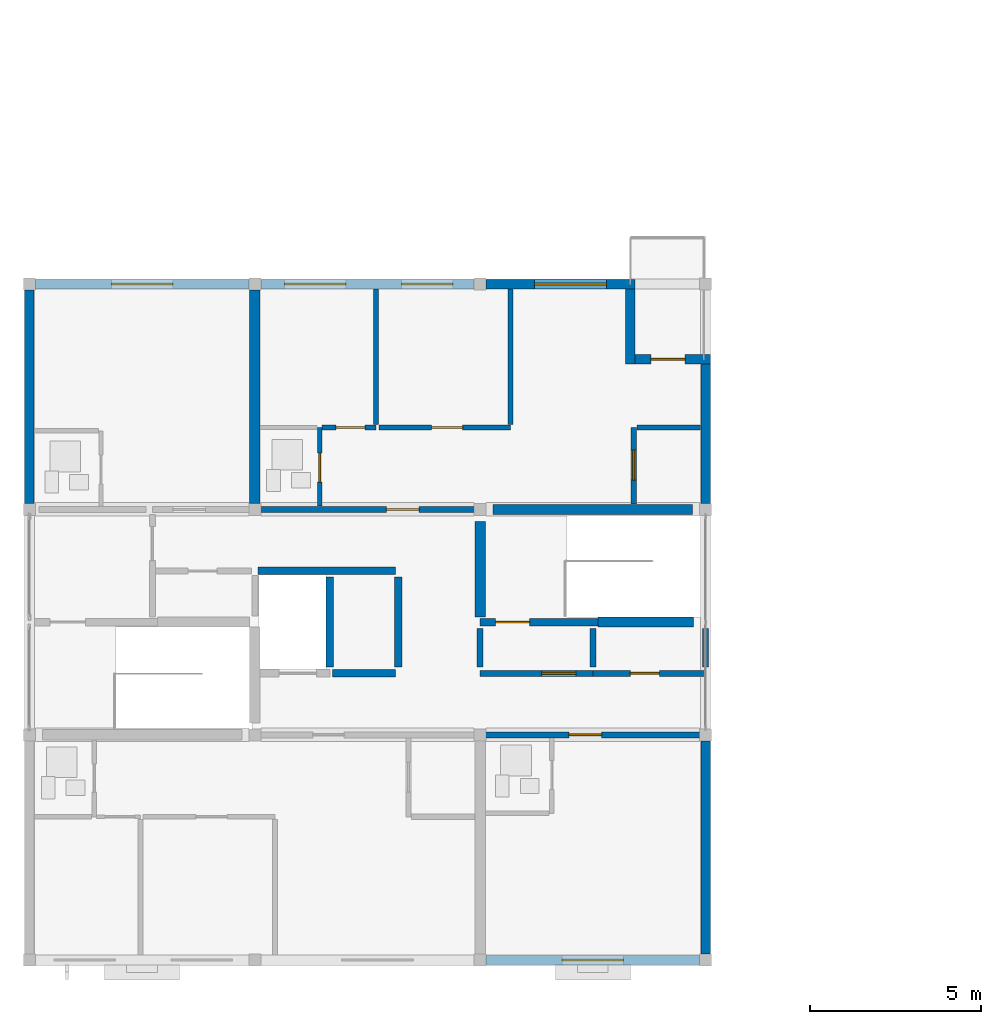
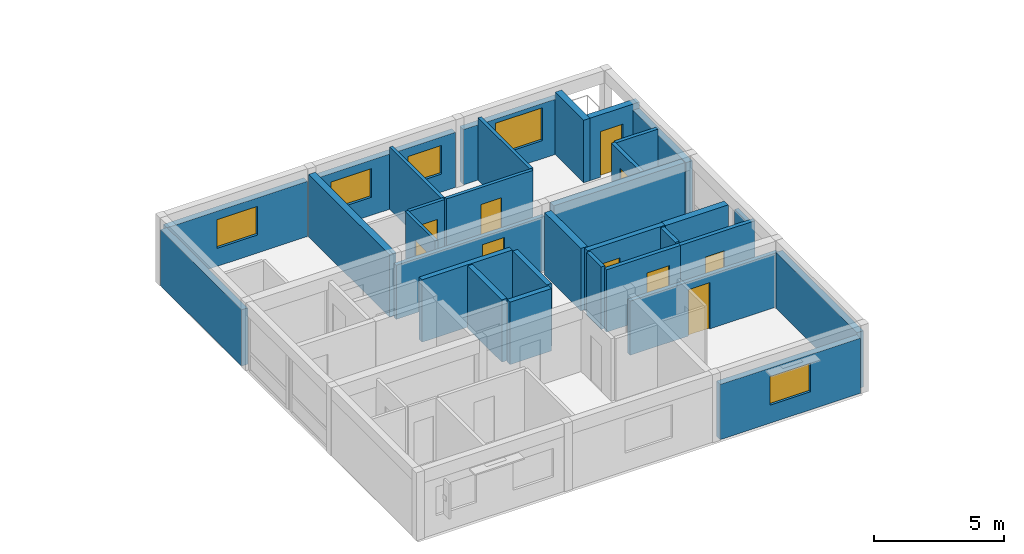
# One storey, part 26 of 49: 32 walls, 10 doors, 5 windows, 15 openings.
"""IFC4 building model written with IfcOpenShell, lengths in metres."""

from ifc_helpers import new_model, si_unit, direction, frame, frame_2d, origin, place, context, subcontext, project, spatial, rectangle, extrude, material, layer, layer_set, type_object, element, fill, save


model = new_model("IFC4")

# Units and contexts
model_context = context("Model", 3, precision=1e-05, world=origin(), true_north=direction((0.0, 1.0)))
body_context = subcontext(model_context, "Body", "Model", "MODEL_VIEW")
ifc_project = project(units=[si_unit("LENGTHUNIT", "METRE"), si_unit("AREAUNIT", "SQUARE_METRE"), si_unit("VOLUMEUNIT", "CUBIC_METRE"), si_unit("PLANEANGLEUNIT", "RADIAN"), si_unit("MASSUNIT", "GRAM", prefix="KILO")], contexts=[model_context])

# Site, building, storey
site_placement = place(None, origin())
site = spatial("IfcSite", under=ifc_project, at=site_placement, CompositionType="ELEMENT")
building_placement = place(site_placement, origin())
building = spatial("IfcBuilding", under=site, at=building_placement, Name="Kernevlak Ridge Housing Community", CompositionType="ELEMENT")
storey_placement = place(building_placement, frame((0.0, 0.0, 30.800048828125)))
storey = spatial("IfcBuildingStorey", under=building, at=storey_placement, Name="L09", CompositionType="ELEMENT", Elevation=30.800048828125)

# Wall, opening, window
ifc_material_1 = material(Name="Concrete block masonry M10", Category="masonry")
ifc_layer_1 = layer(ifc_material_1, 0.280029296875, Name="Concrete block masonry M10")
ifc_layer_set_1 = layer_set([ifc_layer_1], Name="Concrete block masonry M10")
wall_type_1 = type_object("IfcWallType", Name="EW-03", PredefinedType="STANDARD", material=ifc_layer_set_1)
wall_1_placement = place(storey_placement, frame((28.97509765625, 15.60009765625, 0.0), z_axis=(0.0, 0.0, 1.0), x_axis=(1.0, 0.0, 0.0)))
wall_1 = element("IfcWall", 1, at=wall_1_placement, inside=storey, type_object=wall_type_1, Name="Exterior wall EW-03 L09 838", PredefinedType="STANDARD", context=body_context, shape_type="SweptSolid", body=[
    extrude(rectangle(XDim=6.25, YDim=0.280029296875, at=frame_2d((3.125, 0.0))), origin(), (0.0, 0.0, 1.0), 2.599853515625),
])
opening_1_placement = place(wall_1_placement, frame((2.22509765625, 0.0, 0.85009765625)))
opening_1 = element("IfcOpeningElement", 2, at=opening_1_placement, cuts=wall_1, Name="Opening WT-03", PredefinedType="OPENING", context=body_context, shape_type="SweptSolid", body=[
    extrude(rectangle(XDim=1.800048828125, YDim=1.35009765625, at=frame_2d((0.89990234375, 0.675048828125))), frame((0.0, 0.14990234375, 0.0), z_axis=(0.0, -1.0, 0.0), x_axis=(1.0, 0.0, 0.0)), (0.0, 0.0, 1.0), 0.300048828125),
])
ifc_material_2 = material(Name="Aluminium EN AW-6060 anodised and laminated glass", Category="aluminium")
window_type_1 = type_object("IfcWindowType", Name="WT-03", PartitioningType="SINGLE_PANEL", PredefinedType="WINDOW", material=ifc_material_2)
window_1_placement = place(opening_1_placement, origin())
window_1 = element("IfcWindow", 3, at=window_1_placement, inside=storey, type_object=window_type_1, Name="Window WT-03 L09 694", OverallHeight=1.35009765625, OverallWidth=1.800048828125, PartitioningType="SINGLE_PANEL", PredefinedType="WINDOW", context=body_context, shape_type="SweptSolid", body=[
    extrude(rectangle(XDim=1.800048828125, YDim=1.35009765625, at=frame_2d((0.89990234375, 0.675048828125))), frame((0.0, 0.030029296875, 0.0), z_axis=(0.0, -1.0, 0.0), x_axis=(1.0, 0.0, 0.0)), (0.0, 0.0, 1.0), 0.06005859375),
])
fill(opening_1, window_1)

wall_2_placement = place(storey_placement, frame((15.77490234375, 35.39990234375, 0.0), z_axis=(0.0, 0.0, 1.0), x_axis=(1.0, 0.0, 0.0)))
wall_2 = element("IfcWall", 4, at=wall_2_placement, inside=storey, type_object=wall_type_1, Name="Exterior wall EW-03 L09 839", PredefinedType="STANDARD", context=body_context, shape_type="SweptSolid", body=[
    extrude(rectangle(XDim=6.25, YDim=0.280029296875, at=frame_2d((3.125, 0.0))), origin(), (0.0, 0.0, 1.0), 2.599853515625),
])
opening_2_placement = place(wall_2_placement, frame((2.22509765625, 0.0, 0.85009765625)))
opening_2 = element("IfcOpeningElement", 5, at=opening_2_placement, cuts=wall_2, Name="Opening WT-03", PredefinedType="OPENING", context=body_context, shape_type="SweptSolid", body=[
    extrude(rectangle(XDim=1.800048828125, YDim=1.35009765625, at=frame_2d((0.89990234375, 0.675048828125))), frame((0.0, 0.14990234375, 0.0), z_axis=(0.0, -1.0, 0.0), x_axis=(1.0, 0.0, 0.0)), (0.0, 0.0, 1.0), 0.300048828125),
])
window_2_placement = place(opening_2_placement, origin())
window_2 = element("IfcWindow", 6, at=window_2_placement, inside=storey, type_object=window_type_1, Name="Window WT-03 L09 695", OverallHeight=1.35009765625, OverallWidth=1.800048828125, PartitioningType="SINGLE_PANEL", PredefinedType="WINDOW", context=body_context, shape_type="SweptSolid", body=[
    extrude(rectangle(XDim=1.800048828125, YDim=1.35009765625, at=frame_2d((0.89990234375, 0.675048828125))), frame((0.0, 0.030029296875, 0.0), z_axis=(0.0, -1.0, 0.0), x_axis=(1.0, 0.0, 0.0)), (0.0, 0.0, 1.0), 0.06005859375),
])
fill(opening_2, window_2)

# Wall, openings, windows
wall_3_placement = place(storey_placement, frame((22.375, 35.39990234375, 0.0), z_axis=(0.0, 0.0, 1.0), x_axis=(1.0, 0.0, 0.0)))
wall_3 = element("IfcWall", 7, at=wall_3_placement, inside=storey, type_object=wall_type_1, Name="Exterior wall EW-03 L09 840", PredefinedType="STANDARD", context=body_context, shape_type="SweptSolid", body=[
    extrude(rectangle(XDim=6.25, YDim=0.280029296875, at=frame_2d((3.125, 0.0))), origin(), (0.0, 0.0, 1.0), 2.599853515625),
])
opening_3_placement = place(wall_3_placement, frame((0.699951171875, 0.0, 0.85009765625)))
opening_3 = element("IfcOpeningElement", 8, at=opening_3_placement, cuts=wall_3, Name="Opening WT-03", PredefinedType="OPENING", context=body_context, shape_type="SweptSolid", body=[
    extrude(rectangle(XDim=1.800048828125, YDim=1.35009765625, at=frame_2d((0.89990234375, 0.675048828125))), frame((0.0, 0.14990234375, 0.0), z_axis=(0.0, -1.0, 0.0), x_axis=(1.0, 0.0, 0.0)), (0.0, 0.0, 1.0), 0.300048828125),
])
opening_4_placement = place(wall_3_placement, frame((4.125, 0.0, 0.85009765625)))
opening_4 = element("IfcOpeningElement", 9, at=opening_4_placement, cuts=wall_3, Name="Opening WT-02", PredefinedType="OPENING", context=body_context, shape_type="SweptSolid", body=[
    extrude(rectangle(XDim=1.5, YDim=1.35009765625, at=frame_2d((0.75, 0.675048828125))), frame((0.0, 0.14990234375, 0.0), z_axis=(0.0, -1.0, 0.0), x_axis=(1.0, 0.0, 0.0)), (0.0, 0.0, 1.0), 0.300048828125),
])
window_type_2 = type_object("IfcWindowType", Name="WT-02", PartitioningType="SINGLE_PANEL", PredefinedType="WINDOW", material=ifc_material_2)
window_3_placement = place(opening_4_placement, origin())
window_3 = element("IfcWindow", 10, at=window_3_placement, inside=storey, type_object=window_type_2, Name="Window WT-02 L09 697", OverallHeight=1.35009765625, OverallWidth=1.5, PartitioningType="SINGLE_PANEL", PredefinedType="WINDOW", context=body_context, shape_type="SweptSolid", body=[
    extrude(rectangle(XDim=1.5, YDim=1.35009765625, at=frame_2d((0.75, 0.675048828125))), frame((0.0, 0.030029296875, 0.0), z_axis=(0.0, -1.0, 0.0), x_axis=(1.0, 0.0, 0.0)), (0.0, 0.0, 1.0), 0.06005859375),
])
fill(opening_4, window_3)
window_4_placement = place(opening_3_placement, origin())
window_4 = element("IfcWindow", 11, at=window_4_placement, inside=storey, type_object=window_type_1, Name="Window WT-03 L09 696", OverallHeight=1.35009765625, OverallWidth=1.800048828125, PartitioningType="SINGLE_PANEL", PredefinedType="WINDOW", context=body_context, shape_type="SweptSolid", body=[
    extrude(rectangle(XDim=1.800048828125, YDim=1.35009765625, at=frame_2d((0.89990234375, 0.675048828125))), frame((0.0, 0.030029296875, 0.0), z_axis=(0.0, -1.0, 0.0), x_axis=(1.0, 0.0, 0.0)), (0.0, 0.0, 1.0), 0.06005859375),
])
fill(opening_3, window_4)

# Wall, opening, window
wall_4_placement = place(storey_placement, frame((28.97509765625, 35.39990234375, 0.0), z_axis=(0.0, 0.0, 1.0), x_axis=(1.0, 0.0, 0.0)))
wall_4 = element("IfcWall", 12, at=wall_4_placement, inside=storey, type_object=wall_type_1, Name="Exterior wall EW-03 L09 841", PredefinedType="STANDARD", context=body_context, shape_type="SweptSolid", body=[
    extrude(rectangle(XDim=4.364990234375, YDim=0.280029296875, at=frame_2d((2.1826171875, 0.0))), origin(), (0.0, 0.0, 1.0), 2.599853515625),
])
opening_5_placement = place(wall_4_placement, frame((1.4208984375, 0.0, 0.85009765625)))
opening_5 = element("IfcOpeningElement", 13, at=opening_5_placement, cuts=wall_4, Name="Opening WT-05", PredefinedType="OPENING", context=body_context, shape_type="SweptSolid", body=[
    extrude(rectangle(XDim=2.10009765625, YDim=1.550048828125, at=frame_2d((1.050048828125, 0.77490234375))), frame((0.0, 0.14990234375, 0.0), z_axis=(0.0, -1.0, 0.0), x_axis=(1.0, 0.0, 0.0)), (0.0, 0.0, 1.0), 0.300048828125),
])
window_type_3 = type_object("IfcWindowType", Name="WT-05", PartitioningType="SINGLE_PANEL", PredefinedType="WINDOW", material=ifc_material_2)
window_5_placement = place(opening_5_placement, origin())
window_5 = element("IfcWindow", 14, at=window_5_placement, inside=storey, type_object=window_type_3, Name="Window WT-05 L09 698", OverallHeight=1.550048828125, OverallWidth=2.10009765625, PartitioningType="SINGLE_PANEL", PredefinedType="WINDOW", context=body_context, shape_type="SweptSolid", body=[
    extrude(rectangle(XDim=2.10009765625, YDim=1.550048828125, at=frame_2d((1.050048828125, 0.77490234375))), frame((0.0, 0.030029296875, 0.0), z_axis=(0.0, -1.0, 0.0), x_axis=(1.0, 0.0, 0.0)), (0.0, 0.0, 1.0), 0.06005859375),
])
fill(opening_5, window_5)

# Wall
wall_5_placement = place(storey_placement, frame((33.199951171875, 35.260009765625, 0.0), z_axis=(0.0, 0.0, 1.0), x_axis=(0.0, -1.0, 0.0)))
element("IfcWall", 15, at=wall_5_placement, inside=storey, type_object=wall_type_1, Name="Exterior wall EW-03 L09 842", PredefinedType="STANDARD", context=body_context, shape_type="SweptSolid", body=[
    extrude(rectangle(XDim=2.199951171875, YDim=0.280029296875, at=frame_2d((1.10009765625, 0.0))), origin(), (0.0, 0.0, 1.0), 2.93994140625),
])

# Wall, opening, door
wall_6_placement = place(storey_placement, frame((33.340087890625, 33.199951171875, 0.0), z_axis=(0.0, 0.0, 1.0), x_axis=(1.0, 0.0, 0.0)))
wall_6 = element("IfcWall", 16, at=wall_6_placement, inside=storey, type_object=wall_type_1, Name="Exterior wall EW-03 L09 843", PredefinedType="STANDARD", context=body_context, shape_type="SweptSolid", body=[
    extrude(rectangle(XDim=2.199951171875, YDim=0.280029296875, at=frame_2d((1.10009765625, 0.0))), origin(), (0.0, 0.0, 1.0), 2.93994140625),
])
opening_6_placement = place(wall_6_placement, frame((0.4599609375, 0.0, 0.0)))
opening_6 = element("IfcOpeningElement", 17, at=opening_6_placement, cuts=wall_6, Name="Opening E777", PredefinedType="OPENING", context=body_context, shape_type="SweptSolid", body=[
    extrude(rectangle(XDim=1.0, YDim=2.14990234375, at=frame_2d((0.5, 1.074951171875))), frame((0.0, 0.14990234375, 0.0), z_axis=(0.0, -1.0, 0.0), x_axis=(1.0, 0.0, 0.0)), (0.0, 0.0, 1.0), 0.300048828125),
])
ifc_material_3 = material(Name="Aluminium EN AW-6060 and laminated safety glass", Category="aluminium")
door_type_1 = type_object("IfcDoorType", Name="DT-08", OperationType="NOTDEFINED", PredefinedType="DOOR", material=ifc_material_3)
door_1_placement = place(opening_6_placement, origin())
door_1 = element("IfcDoor", 18, at=door_1_placement, inside=storey, type_object=door_type_1, Name="Flat D0922 corner balcony glazed door E777", OperationType="SINGLE_SWING_RIGHT", OverallHeight=2.14990234375, OverallWidth=1.0, PredefinedType="DOOR", context=body_context, shape_type="SweptSolid", body=[
    extrude(rectangle(XDim=1.0, YDim=2.14990234375, at=frame_2d((0.5, 1.074951171875))), frame((0.0, 0.02490234375, 0.0), z_axis=(0.0, -1.0, 0.0), x_axis=(1.0, 0.0, 0.0)), (0.0, 0.0, 1.0), 0.050048828125),
])
fill(opening_6, door_1)

# Walls
for number, where, z_axis, x_axis, name in (
    (19, (15.60009765625, 28.97509765625, 0.0), (0.0, 0.0, 1.0), (0.0, 1.0, 0.0), "Exterior wall EW-03 L09 845"),
    (20, (35.39990234375, 15.77490234375, 0.0), (0.0, 0.0, 1.0), (0.0, 1.0, 0.0), "Exterior wall EW-03 L09 846"),
):
    element("IfcWall", number, at=place(storey_placement, frame(where, z_axis=z_axis, x_axis=x_axis)), inside=storey, type_object=wall_type_1, Name=name, PredefinedType="STANDARD", context=body_context, shape_type="SweptSolid", body=[
        extrude(rectangle(XDim=6.25, YDim=0.280029296875, at=frame_2d((3.125, 0.0))), origin(), (0.0, 0.0, 1.0), 2.64990234375),
    ])
wall_7_placement = place(storey_placement, frame((35.39990234375, 28.97509765625, 0.0), z_axis=(0.0, 0.0, 1.0), x_axis=(0.0, 1.0, 0.0)))
element("IfcWall", 21, at=wall_7_placement, inside=storey, type_object=wall_type_1, Name="Exterior wall EW-03 L09 847", PredefinedType="STANDARD", context=body_context, shape_type="SweptSolid", body=[
    extrude(rectangle(XDim=4.0849609375, YDim=0.280029296875, at=frame_2d((2.04248046875, 0.0))), origin(), (0.0, 0.0, 1.0), 2.64990234375),
])
ifc_material_4 = material(Name="Concrete C35/45", Category="concrete")
ifc_layer_2 = layer(ifc_material_4, 0.22509765625, Name="Concrete C35/45")
ifc_layer_set_2 = layer_set([ifc_layer_2], Name="Concrete C35/45")
wall_type_2 = type_object("IfcWallType", Name="PW-01", PredefinedType="STANDARD", material=ifc_layer_set_2)
wall_8_placement = place(storey_placement, frame((24.47998046875, 24.0, 0.0), z_axis=(0.0, 0.0, 1.0), x_axis=(1.0, 0.0, 0.0)))
element("IfcWall", 22, at=wall_8_placement, inside=storey, type_object=wall_type_2, Name="Interior wall PW-01 WAL-INT-L09-3465", PredefinedType="STANDARD", context=body_context, shape_type="SweptSolid", body=[
    extrude(rectangle(XDim=1.840087890625, YDim=0.22509765625, at=frame_2d((0.919921875, 0.0))), origin(), (0.0, 0.0, 1.0), 2.93994140625),
])
wall_9_placement = place(storey_placement, frame((22.297607421875, 27.0, 0.0), z_axis=(0.0, 0.0, 1.0), x_axis=(1.0, 0.0, 0.0)))
element("IfcWall", 23, at=wall_9_placement, inside=storey, type_object=wall_type_2, Name="Interior wall PW-01 WAL-INT-L09-3466", PredefinedType="STANDARD", context=body_context, shape_type="SweptSolid", body=[
    extrude(rectangle(XDim=4.0224609375, YDim=0.22509765625, at=frame_2d((2.01123046875, 0.0))), origin(), (0.0, 0.0, 1.0), 2.93994140625),
])
for number, where, z_axis, x_axis, name in (
    (24, (24.39990234375, 24.179931640625, 0.0), (0.0, 0.0, 1.0), (0.0, 1.0, 0.0), "Interior wall PW-01 WAL-INT-L09-3468"),
    (25, (26.39990234375, 24.179931640625, 0.0), (0.0, 0.0, 1.0), (0.0, 1.0, 0.0), "Interior wall PW-01 WAL-INT-L09-3469"),
):
    element("IfcWall", number, at=place(storey_placement, frame(where, z_axis=z_axis, x_axis=x_axis)), inside=storey, type_object=wall_type_2, Name=name, PredefinedType="STANDARD", context=body_context, shape_type="SweptSolid", body=[
        extrude(rectangle(XDim=2.64013671875, YDim=0.22509765625, at=frame_2d((1.320068359375, 0.0))), origin(), (0.0, 0.0, 1.0), 2.93994140625),
    ])

# Wall, opening, door
wall_10_placement = place(storey_placement, frame((28.800048828125, 25.5, 0.0), z_axis=(0.0, 0.0, 1.0), x_axis=(1.0, 0.0, 0.0)))
wall_10 = element("IfcWall", 26, at=wall_10_placement, inside=storey, type_object=wall_type_2, Name="Interior wall PW-01 WAL-INT-L09-3470", PredefinedType="STANDARD", context=body_context, shape_type="SweptSolid", body=[
    extrude(rectangle(XDim=3.449951171875, YDim=0.22509765625, at=frame_2d((1.72509765625, 0.0))), origin(), (0.0, 0.0, 1.0), 2.93994140625),
])
opening_7_placement = place(wall_10_placement, frame((0.449951171875, 0.0, 0.0)))
opening_7 = element("IfcOpeningElement", 27, at=opening_7_placement, cuts=wall_10, Name="Opening E760", PredefinedType="OPENING", context=body_context, shape_type="SweptSolid", body=[
    extrude(rectangle(XDim=1.0, YDim=2.10009765625, at=frame_2d((0.5, 1.050048828125))), frame((0.0, 0.12255859375, 0.0), z_axis=(0.0, -1.0, 0.0), x_axis=(1.0, 0.0, 0.0)), (0.0, 0.0, 1.0), 0.2451171875),
])
ifc_material_5 = material(Name="Fire-rated sheet steel leaf", Category="steel")
door_type_2 = type_object("IfcDoorType", Name="DT-05", OperationType="NOTDEFINED", PredefinedType="DOOR", material=ifc_material_5)
door_2_placement = place(opening_7_placement, origin())
door_2 = element("IfcDoor", 28, at=door_2_placement, inside=storey, type_object=door_type_2, Name="Block D Stair 2 fire door E760", OperationType="SINGLE_SWING_LEFT", OverallHeight=2.10009765625, OverallWidth=1.0, PredefinedType="DOOR", context=body_context, shape_type="SweptSolid", body=[
    extrude(rectangle(XDim=1.0, YDim=2.10009765625, at=frame_2d((0.5, 1.050048828125))), frame((0.0, 0.02490234375, 0.0), z_axis=(0.0, -1.0, 0.0), x_axis=(1.0, 0.0, 0.0)), (0.0, 0.0, 1.0), 0.050048828125),
])
fill(opening_7, door_2)

ifc_layer_3 = layer(ifc_material_1, 0.175048828125, Name="Concrete block masonry M10")
ifc_layer_set_3 = layer_set([ifc_layer_3], Name="Concrete block masonry M10")
wall_type_3 = type_object("IfcWallType", Name="PW-02", PredefinedType="PARTITIONING", material=ifc_layer_set_3)
wall_11_placement = place(storey_placement, frame((28.800048828125, 24.0, 0.0), z_axis=(0.0, 0.0, 1.0), x_axis=(1.0, 0.0, 0.0)))
wall_11 = element("IfcWall", 29, at=wall_11_placement, inside=storey, type_object=wall_type_3, Name="Interior wall PW-02 WAL-INT-L09-3471", PredefinedType="PARTITIONING", context=body_context, shape_type="SweptSolid", body=[
    extrude(rectangle(XDim=3.300048828125, YDim=0.175048828125, at=frame_2d((1.64990234375, 0.0))), origin(), (0.0, 0.0, 1.0), 2.93994140625),
])
opening_8_placement = place(wall_11_placement, frame((1.800048828125, 0.0, 0.0)))
opening_8 = element("IfcOpeningElement", 30, at=opening_8_placement, cuts=wall_11, Name="Opening E761", PredefinedType="OPENING", context=body_context, shape_type="SweptSolid", body=[
    extrude(rectangle(XDim=1.0, YDim=2.159912109375, at=frame_2d((0.5, 1.080078125))), frame((0.0, 0.097412109375, 0.0), z_axis=(0.0, -1.0, 0.0), x_axis=(1.0, 0.0, 0.0)), (0.0, 0.0, 1.0), 0.195068359375),
])
door_type_3 = type_object("IfcDoorType", Name="DT-15", OperationType="NOTDEFINED", PredefinedType="DOOR", material=ifc_material_5)
door_3_placement = place(opening_8_placement, origin())
door_3 = element("IfcDoor", 31, at=door_3_placement, inside=storey, type_object=door_type_3, Name="Block D Firefighting lobby 2 door E761", OperationType="SINGLE_SWING_RIGHT", OverallHeight=2.159912109375, OverallWidth=1.0, PredefinedType="DOOR", context=body_context, shape_type="SweptSolid", body=[
    extrude(rectangle(XDim=1.0, YDim=2.159912109375, at=frame_2d((0.5, 1.080078125))), frame((0.0, 0.02490234375, 0.0), z_axis=(0.0, -1.0, 0.0), x_axis=(1.0, 0.0, 0.0)), (0.0, 0.0, 1.0), 0.050048828125),
])
fill(opening_8, door_3)

wall_12_placement = place(storey_placement, frame((32.10009765625, 24.0, 0.0), z_axis=(0.0, 0.0, 1.0), x_axis=(1.0, 0.0, 0.0)))
wall_12 = element("IfcWall", 32, at=wall_12_placement, inside=storey, type_object=wall_type_3, Name="Interior wall PW-02 WAL-INT-L09-3472", PredefinedType="PARTITIONING", context=body_context, shape_type="SweptSolid", body=[
    extrude(rectangle(XDim=3.2998046875, YDim=0.175048828125, at=frame_2d((1.64990234375, 0.0))), origin(), (0.0, 0.0, 1.0), 2.93994140625),
])
opening_9_placement = place(wall_12_placement, frame((1.10009765625, 0.0, 0.0)))
opening_9 = element("IfcOpeningElement", 33, at=opening_9_placement, cuts=wall_12, Name="Opening E762", PredefinedType="OPENING", context=body_context, shape_type="SweptSolid", body=[
    extrude(rectangle(XDim=0.85009765625, YDim=2.0, at=frame_2d((0.425048828125, 1.0))), frame((0.0, 0.097412109375, 0.0), z_axis=(0.0, -1.0, 0.0), x_axis=(1.0, 0.0, 0.0)), (0.0, 0.0, 1.0), 0.195068359375),
])
door_type_4 = type_object("IfcDoorType", Name="DT-07", OperationType="NOTDEFINED", PredefinedType="DOOR", material=ifc_material_5)
door_4_placement = place(opening_9_placement, origin())
door_4 = element("IfcDoor", 34, at=door_4_placement, inside=storey, type_object=door_type_4, Name="Block D Cleaner store door E762", OperationType="SINGLE_SWING_LEFT", OverallHeight=2.0, OverallWidth=0.85009765625, PredefinedType="DOOR", context=body_context, shape_type="SweptSolid", body=[
    extrude(rectangle(XDim=0.85009765625, YDim=2.0, at=frame_2d((0.425048828125, 1.0))), frame((0.0, 0.02490234375, 0.0), z_axis=(0.0, -1.0, 0.0), x_axis=(1.0, 0.0, 0.0)), (0.0, 0.0, 1.0), 0.050048828125),
])
fill(opening_9, door_4)

# Walls
for number, where, z_axis, x_axis, name in (
    (35, (28.800048828125, 24.179931640625, 0.0), (0.0, 0.0, 1.0), (0.0, 1.0, 0.0), "Interior wall PW-02 WAL-INT-L09-3473"),
    (36, (32.10009765625, 24.179931640625, 0.0), (0.0, 0.0, 1.0), (0.0, 1.0, 0.0), "Interior wall PW-02 WAL-INT-L09-3474"),
):
    element("IfcWall", number, at=place(storey_placement, frame(where, z_axis=z_axis, x_axis=x_axis)), inside=storey, type_object=wall_type_3, Name=name, PredefinedType="PARTITIONING", context=body_context, shape_type="SweptSolid", body=[
        extrude(rectangle(XDim=1.14013671875, YDim=0.175048828125, at=frame_2d((0.570068359375, 0.0))), origin(), (0.0, 0.0, 1.0), 2.93994140625),
    ])
wall_13_placement = place(storey_placement, frame((35.39990234375, 24.179931640625, 0.0), z_axis=(0.0, 0.0, 1.0), x_axis=(0.0, 1.0, 0.0)))
element("IfcWall", 37, at=wall_13_placement, inside=storey, type_object=wall_type_3, Name="Interior wall PW-02 WAL-INT-L09-3475", PredefinedType="PARTITIONING", context=body_context, shape_type="SweptSolid", body=[
    extrude(rectangle(XDim=1.14013671875, YDim=0.175048828125, at=frame_2d((0.570068359375, 0.0))), origin(), (0.0, 0.0, 1.0), 2.64990234375),
])

# Wall, opening, door
wall_14_placement = place(storey_placement, frame((28.800048828125, 22.199951171875, 0.0), z_axis=(0.0, 0.0, 1.0), x_axis=(1.0, 0.0, 0.0)))
wall_14 = element("IfcWall", 38, at=wall_14_placement, inside=storey, type_object=wall_type_3, Name="Interior wall PW-02 WAL-INT-L09-3485", PredefinedType="PARTITIONING", context=body_context, shape_type="SweptSolid", body=[
    extrude(rectangle(XDim=6.599853515625, YDim=0.175048828125, at=frame_2d((3.2998046875, 0.0))), origin(), (0.0, 0.0, 1.0), 2.550048828125),
])
opening_10_placement = place(wall_14_placement, frame((2.60009765625, 0.0, 0.0)))
opening_10 = element("IfcOpeningElement", 39, at=opening_10_placement, cuts=wall_14, Name="Opening E768", PredefinedType="OPENING", context=body_context, shape_type="SweptSolid", body=[
    extrude(rectangle(XDim=0.9599609375, YDim=2.179931640625, at=frame_2d((0.47998046875, 1.08984375))), frame((0.0, 0.097412109375, 0.0), z_axis=(0.0, -1.0, 0.0), x_axis=(1.0, 0.0, 0.0)), (0.0, 0.0, 1.0), 0.195068359375),
])
ifc_material_6 = material(Name="Hardwood timber solid-core fire leaf", Category="wood")
door_type_5 = type_object("IfcDoorType", Name="DT-29", OperationType="NOTDEFINED", PredefinedType="DOOR", material=ifc_material_6)
door_5_placement = place(opening_10_placement, origin())
door_5 = element("IfcDoor", 40, at=door_5_placement, inside=storey, type_object=door_type_5, Name="Flat D0912 entrance fire door E768", OperationType="SINGLE_SWING_LEFT", OverallHeight=2.179931640625, OverallWidth=0.9599609375, PredefinedType="DOOR", context=body_context, shape_type="SweptSolid", body=[
    extrude(rectangle(XDim=0.9599609375, YDim=2.179931640625, at=frame_2d((0.47998046875, 1.08984375))), frame((0.0, 0.02490234375, 0.0), z_axis=(0.0, -1.0, 0.0), x_axis=(1.0, 0.0, 0.0)), (0.0, 0.0, 1.0), 0.050048828125),
])
fill(opening_10, door_5)

wall_15_placement = place(storey_placement, frame((22.199951171875, 28.800048828125, 0.0), z_axis=(0.0, 0.0, 1.0), x_axis=(1.0, 0.0, 0.0)))
wall_15 = element("IfcWall", 41, at=wall_15_placement, inside=storey, type_object=wall_type_3, Name="Interior wall PW-02 WAL-INT-L09-3492", PredefinedType="PARTITIONING", context=body_context, shape_type="SweptSolid", body=[
    extrude(rectangle(XDim=6.60009765625, YDim=0.175048828125, at=frame_2d((3.300048828125, 0.0))), origin(), (0.0, 0.0, 1.0), 2.550048828125),
])
opening_11_placement = place(wall_15_placement, frame((3.85009765625, 0.0, 0.0)))
opening_11 = element("IfcOpeningElement", 42, at=opening_11_placement, cuts=wall_15, Name="Opening E772", PredefinedType="OPENING", context=body_context, shape_type="SweptSolid", body=[
    extrude(rectangle(XDim=0.9599609375, YDim=2.179931640625, at=frame_2d((0.47998046875, 1.08984375))), frame((0.0, 0.097412109375, 0.0), z_axis=(0.0, -1.0, 0.0), x_axis=(1.0, 0.0, 0.0)), (0.0, 0.0, 1.0), 0.195068359375),
])
door_6_placement = place(opening_11_placement, origin())
door_6 = element("IfcDoor", 43, at=door_6_placement, inside=storey, type_object=door_type_5, Name="Flat D0922 entrance fire door E772", OperationType="SINGLE_SWING_LEFT", OverallHeight=2.179931640625, OverallWidth=0.9599609375, PredefinedType="DOOR", context=body_context, shape_type="SweptSolid", body=[
    extrude(rectangle(XDim=0.9599609375, YDim=2.179931640625, at=frame_2d((0.47998046875, 1.08984375))), frame((0.0, 0.02490234375, 0.0), z_axis=(0.0, -1.0, 0.0), x_axis=(1.0, 0.0, 0.0)), (0.0, 0.0, 1.0), 0.050048828125),
])
fill(opening_11, door_6)

ifc_layer_4 = layer(ifc_material_1, 0.14501953125, Name="Concrete block masonry M10")
ifc_layer_set_4 = layer_set([ifc_layer_4], Name="Concrete block masonry M10")
wall_type_4 = type_object("IfcWallType", Name="PW-03", PredefinedType="PARTITIONING", material=ifc_layer_set_4)
wall_16_placement = place(storey_placement, frame((24.172607421875, 31.199951171875, 0.0), z_axis=(0.0, 0.0, 1.0), x_axis=(1.0, 0.0, 0.0)))
wall_16 = element("IfcWall", 44, at=wall_16_placement, inside=storey, type_object=wall_type_4, Name="Interior wall PW-03 WAL-INT-L09-3497", PredefinedType="PARTITIONING", context=body_context, shape_type="SweptSolid", body=[
    extrude(rectangle(XDim=1.577392578125, YDim=0.14501953125, at=frame_2d((0.78857421875, 0.0))), origin(), (0.0, 0.0, 1.0), 2.93994140625),
])
opening_12_placement = place(wall_16_placement, frame((0.39990234375, 0.0, 0.0)))
opening_12 = element("IfcOpeningElement", 45, at=opening_12_placement, cuts=wall_16, Name="Opening E775", PredefinedType="OPENING", context=body_context, shape_type="SweptSolid", body=[
    extrude(rectangle(XDim=0.860107421875, YDim=2.1201171875, at=frame_2d((0.43017578125, 1.06005859375))), frame((0.0, 0.08251953125, 0.0), z_axis=(0.0, -1.0, 0.0), x_axis=(1.0, 0.0, 0.0)), (0.0, 0.0, 1.0), 0.1650390625),
])
ifc_material_7 = material(Name="Hardwood timber leaf", Category="wood")
door_type_6 = type_object("IfcDoorType", Name="DT-28", OperationType="NOTDEFINED", PredefinedType="DOOR", material=ifc_material_7)
door_7_placement = place(opening_12_placement, origin())
door_7 = element("IfcDoor", 46, at=door_7_placement, inside=storey, type_object=door_type_6, Name="Flat D0922 bedroom door E775", OperationType="SINGLE_SWING_RIGHT", OverallHeight=2.1201171875, OverallWidth=0.860107421875, PredefinedType="DOOR", context=body_context, shape_type="SweptSolid", body=[
    extrude(rectangle(XDim=0.860107421875, YDim=2.1201171875, at=frame_2d((0.43017578125, 1.06005859375))), frame((0.0, 0.02490234375, 0.0), z_axis=(0.0, -1.0, 0.0), x_axis=(1.0, 0.0, 0.0)), (0.0, 0.0, 1.0), 0.050048828125),
])
fill(opening_12, door_7)

# Wall
wall_17_placement = place(storey_placement, frame((25.75, 31.282470703125, 0.0), z_axis=(0.0, 0.0, 1.0), x_axis=(0.0, 1.0, 0.0)))
element("IfcWall", 47, at=wall_17_placement, inside=storey, type_object=wall_type_4, Name="Interior wall PW-03 WAL-INT-L09-3498", PredefinedType="PARTITIONING", context=body_context, shape_type="SweptSolid", body=[
    extrude(rectangle(XDim=3.967529296875, YDim=0.14501953125, at=frame_2d((1.98388671875, 0.0))), origin(), (0.0, 0.0, 1.0), 2.93994140625),
])

# Wall, opening, door
wall_18_placement = place(storey_placement, frame((25.83251953125, 31.199951171875, 0.0), z_axis=(0.0, 0.0, 1.0), x_axis=(1.0, 0.0, 0.0)))
wall_18 = element("IfcWall", 48, at=wall_18_placement, inside=storey, type_object=wall_type_4, Name="Interior wall PW-03 WAL-INT-L09-3499", PredefinedType="PARTITIONING", context=body_context, shape_type="SweptSolid", body=[
    extrude(rectangle(XDim=3.859375, YDim=0.14501953125, at=frame_2d((1.9296875, 0.0))), origin(), (0.0, 0.0, 1.0), 2.93994140625),
])
opening_13_placement = place(wall_18_placement, frame((1.5458984375, 0.0, 0.0)))
opening_13 = element("IfcOpeningElement", 49, at=opening_13_placement, cuts=wall_18, Name="Opening E776", PredefinedType="OPENING", context=body_context, shape_type="SweptSolid", body=[
    extrude(rectangle(XDim=0.909912109375, YDim=2.139892578125, at=frame_2d((0.455078125, 1.06982421875))), frame((0.0, 0.08251953125, 0.0), z_axis=(0.0, -1.0, 0.0), x_axis=(1.0, 0.0, 0.0)), (0.0, 0.0, 1.0), 0.1650390625),
])
door_type_7 = type_object("IfcDoorType", Name="DT-31", OperationType="NOTDEFINED", PredefinedType="DOOR", material=ifc_material_7)
door_8_placement = place(opening_13_placement, origin())
door_8 = element("IfcDoor", 50, at=door_8_placement, inside=storey, type_object=door_type_7, Name="Flat D0922 bedroom door E776", OperationType="SINGLE_SWING_LEFT", OverallHeight=2.139892578125, OverallWidth=0.909912109375, PredefinedType="DOOR", context=body_context, shape_type="SweptSolid", body=[
    extrude(rectangle(XDim=0.909912109375, YDim=2.139892578125, at=frame_2d((0.455078125, 1.06982421875))), frame((0.0, 0.02490234375, 0.0), z_axis=(0.0, -1.0, 0.0), x_axis=(1.0, 0.0, 0.0)), (0.0, 0.0, 1.0), 0.050048828125),
])
fill(opening_13, door_8)

# Wall
wall_19_placement = place(storey_placement, frame((29.69189453125, 31.282470703125, 0.0), z_axis=(0.0, 0.0, 1.0), x_axis=(0.0, 1.0, 0.0)))
element("IfcWall", 51, at=wall_19_placement, inside=storey, type_object=wall_type_4, Name="Interior wall PW-03 WAL-INT-L09-3500", PredefinedType="PARTITIONING", context=body_context, shape_type="SweptSolid", body=[
    extrude(rectangle(XDim=3.967529296875, YDim=0.14501953125, at=frame_2d((1.98388671875, 0.0))), origin(), (0.0, 0.0, 1.0), 2.93994140625),
])

# Wall, opening, door
ifc_material_8 = material(Name="Gypsum plasterboard EN 520", Category="gypsum")
ifc_layer_5 = layer(ifc_material_8, 0.125, Name="Gypsum plasterboard EN 520")
ifc_layer_set_5 = layer_set([ifc_layer_5], Name="Gypsum plasterboard EN 520")
wall_type_5 = type_object("IfcWallType", Name="PW-04", PredefinedType="PARTITIONING", material=ifc_layer_set_5)
wall_20_placement = place(storey_placement, frame((24.10009765625, 28.8974609375, 0.0), z_axis=(0.0, 0.0, 1.0), x_axis=(0.0, 1.0, 0.0)))
wall_20 = element("IfcWall", 52, at=wall_20_placement, inside=storey, type_object=wall_type_5, Name="Interior wall PW-04 WAL-INT-L09-3493", PredefinedType="PARTITIONING", context=body_context, shape_type="SweptSolid", body=[
    extrude(rectangle(XDim=2.302490234375, YDim=0.125, at=frame_2d((1.1513671875, 0.0))), origin(), (0.0, 0.0, 1.0), 2.93994140625),
])
opening_14_placement = place(wall_20_placement, frame((0.699951171875, 0.0, 0.0)))
opening_14 = element("IfcOpeningElement", 53, at=opening_14_placement, cuts=wall_20, Name="Opening E773", PredefinedType="OPENING", context=body_context, shape_type="SweptSolid", body=[
    extrude(rectangle(XDim=0.85009765625, YDim=2.0400390625, at=frame_2d((0.425048828125, 1.02001953125))), frame((0.0, 0.072509765625, 0.0), z_axis=(0.0, -1.0, 0.0), x_axis=(1.0, 0.0, 0.0)), (0.0, 0.0, 1.0), 0.14501953125),
])
ifc_material_9 = material(Name="Hardwood timber moisture-resistant leaf", Category="wood")
door_type_8 = type_object("IfcDoorType", Name="DT-04", OperationType="NOTDEFINED", PredefinedType="DOOR", material=ifc_material_9)
door_9_placement = place(opening_14_placement, origin())
door_9 = element("IfcDoor", 54, at=door_9_placement, inside=storey, type_object=door_type_8, Name="Flat D0922 bathroom door E773", OperationType="SINGLE_SWING_RIGHT", OverallHeight=2.0400390625, OverallWidth=0.85009765625, PredefinedType="DOOR", context=body_context, shape_type="SweptSolid", body=[
    extrude(rectangle(XDim=0.85009765625, YDim=2.0400390625, at=frame_2d((0.425048828125, 1.02001953125))), frame((0.0, 0.02490234375, 0.0), z_axis=(0.0, -1.0, 0.0), x_axis=(1.0, 0.0, 0.0)), (0.0, 0.0, 1.0), 0.050048828125),
])
fill(opening_14, door_9)

ifc_layer_6 = layer(ifc_material_8, 0.155029296875, Name="Gypsum plasterboard EN 520")
ifc_layer_set_6 = layer_set([ifc_layer_6], Name="Gypsum plasterboard EN 520")
wall_type_6 = type_object("IfcWallType", Name="PW-05", PredefinedType="PARTITIONING", material=ifc_layer_set_6)
wall_21_placement = place(storey_placement, frame((33.300048828125, 28.9599609375, 0.0), z_axis=(0.0, 0.0, 1.0), x_axis=(0.0, 1.0, 0.0)))
wall_21 = element("IfcWall", 55, at=wall_21_placement, inside=storey, type_object=wall_type_6, Name="Interior wall PW-05 WAL-INT-L09-3495", PredefinedType="PARTITIONING", context=body_context, shape_type="SweptSolid", body=[
    extrude(rectangle(XDim=2.239990234375, YDim=0.155029296875, at=frame_2d((1.1201171875, 0.0))), origin(), (0.0, 0.0, 1.0), 2.93994140625),
])
opening_15_placement = place(wall_21_placement, frame((0.699951171875, 0.0, 0.0)))
opening_15 = element("IfcOpeningElement", 56, at=opening_15_placement, cuts=wall_21, Name="Opening E774", PredefinedType="OPENING", context=body_context, shape_type="SweptSolid", body=[
    extrude(rectangle(XDim=0.8798828125, YDim=2.159912109375, at=frame_2d((0.43994140625, 1.080078125))), frame((0.0, 0.08740234375, 0.0), z_axis=(0.0, -1.0, 0.0), x_axis=(1.0, 0.0, 0.0)), (0.0, 0.0, 1.0), 0.175048828125),
])
door_type_9 = type_object("IfcDoorType", Name="DT-26", OperationType="NOTDEFINED", PredefinedType="DOOR", material=ifc_material_7)
door_10_placement = place(opening_15_placement, origin())
door_10 = element("IfcDoor", 57, at=door_10_placement, inside=storey, type_object=door_type_9, Name="Flat D0922 kitchen door E774", OperationType="SINGLE_SWING_LEFT", OverallHeight=2.159912109375, OverallWidth=0.8798828125, PredefinedType="DOOR", context=body_context, shape_type="SweptSolid", body=[
    extrude(rectangle(XDim=0.8798828125, YDim=2.159912109375, at=frame_2d((0.43994140625, 1.080078125))), frame((0.0, 0.02490234375, 0.0), z_axis=(0.0, -1.0, 0.0), x_axis=(1.0, 0.0, 0.0)), (0.0, 0.0, 1.0), 0.050048828125),
])
fill(opening_15, door_10)

# Walls
wall_22_placement = place(storey_placement, frame((33.387451171875, 31.199951171875, 0.0), z_axis=(0.0, 0.0, 1.0), x_axis=(1.0, 0.0, 0.0)))
element("IfcWall", 58, at=wall_22_placement, inside=storey, type_object=wall_type_6, Name="Interior wall PW-05 WAL-INT-L09-3496", PredefinedType="PARTITIONING", context=body_context, shape_type="SweptSolid", body=[
    extrude(rectangle(XDim=1.862548828125, YDim=0.155029296875, at=frame_2d((0.93115234375, 0.0))), origin(), (0.0, 0.0, 1.0), 2.93994140625),
])
ifc_material_10 = material(Name="Concrete C40/50", Category="concrete")
ifc_layer_7 = layer(ifc_material_10, 0.300048828125, Name="Concrete C40/50")
ifc_layer_set_7 = layer_set([ifc_layer_7], Name="Concrete C40/50")
wall_type_7 = type_object("IfcWallType", Name="SW-02", PredefinedType="SHEAR", material=ifc_layer_set_7)
wall_23_placement = place(storey_placement, frame((29.179931640625, 28.800048828125, 0.0), z_axis=(0.0, 0.0, 1.0), x_axis=(1.0, 0.0, 0.0)))
element("IfcWall", 59, at=wall_23_placement, inside=storey, type_object=wall_type_7, Name="Shear wall SW-02 Block D L09 598", PredefinedType="SHEAR", context=body_context, shape_type="SweptSolid", body=[
    extrude(rectangle(XDim=5.840087890625, YDim=0.300048828125, at=frame_2d((2.919921875, 0.0))), origin(), (0.0, 0.0, 1.0), 2.93994140625),
])
for number, where, z_axis, x_axis, name in (
    (60, (32.25, 25.5, 0.0), (0.0, 0.0, 1.0), (1.0, 0.0, 0.0), "Shear wall SW-02 Block D L09 599"),
    (61, (28.800048828125, 25.64990234375, 0.0), (0.0, 0.0, 1.0), (0.0, 1.0, 0.0), "Shear wall SW-02 Block D L09 600"),
):
    element("IfcWall", number, at=place(storey_placement, frame(where, z_axis=z_axis, x_axis=x_axis)), inside=storey, type_object=wall_type_7, Name=name, PredefinedType="SHEAR", context=body_context, shape_type="SweptSolid", body=[
        extrude(rectangle(XDim=2.800048828125, YDim=0.300048828125, at=frame_2d((1.39990234375, 0.0))), origin(), (0.0, 0.0, 1.0), 2.93994140625),
    ])
wall_24_placement = place(storey_placement, frame((22.199951171875, 28.97509765625, 0.0), z_axis=(0.0, 0.0, 1.0), x_axis=(0.0, 1.0, 0.0)))
element("IfcWall", 62, at=wall_24_placement, inside=storey, type_object=wall_type_7, Name="Shear wall SW-02 Block D L09 602", PredefinedType="SHEAR", context=body_context, shape_type="SweptSolid", body=[
    extrude(rectangle(XDim=6.25, YDim=0.300048828125, at=frame_2d((3.125, 0.0))), origin(), (0.0, 0.0, 1.0), 2.93994140625),
])

save(model, "model.ifc")
